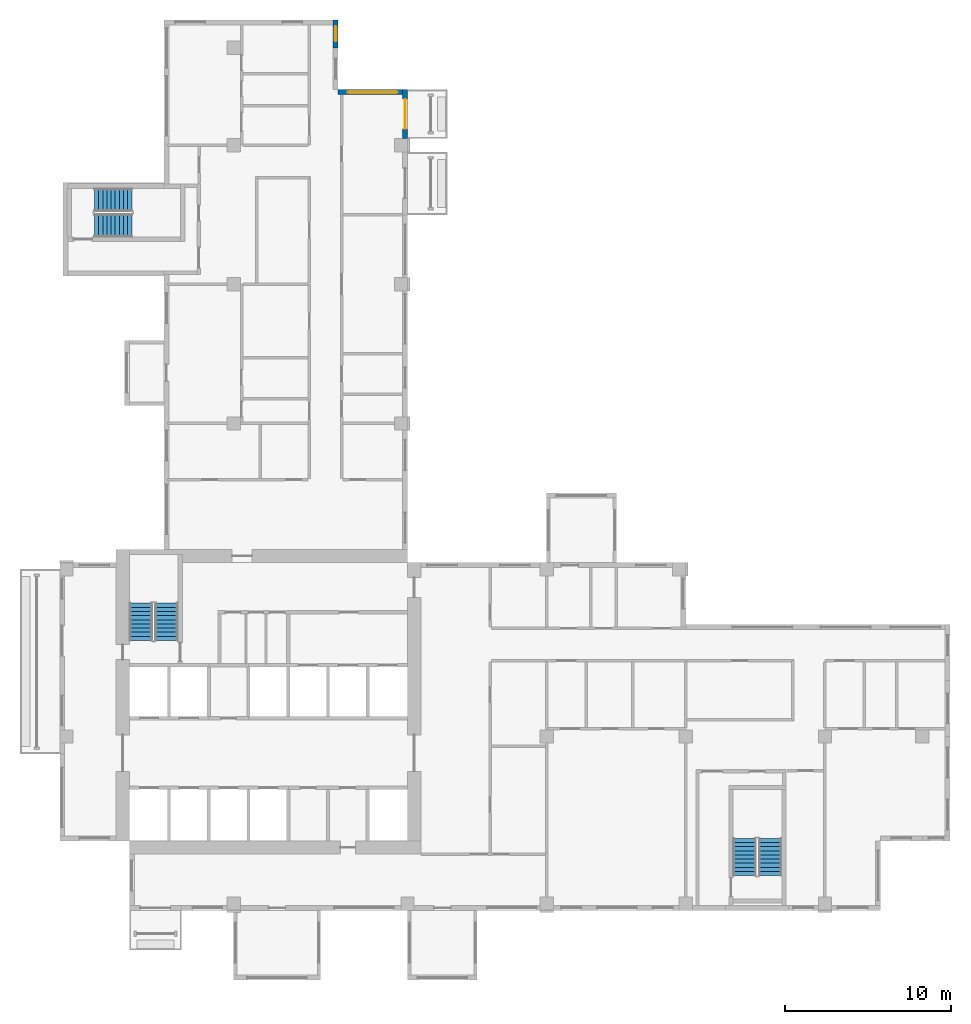
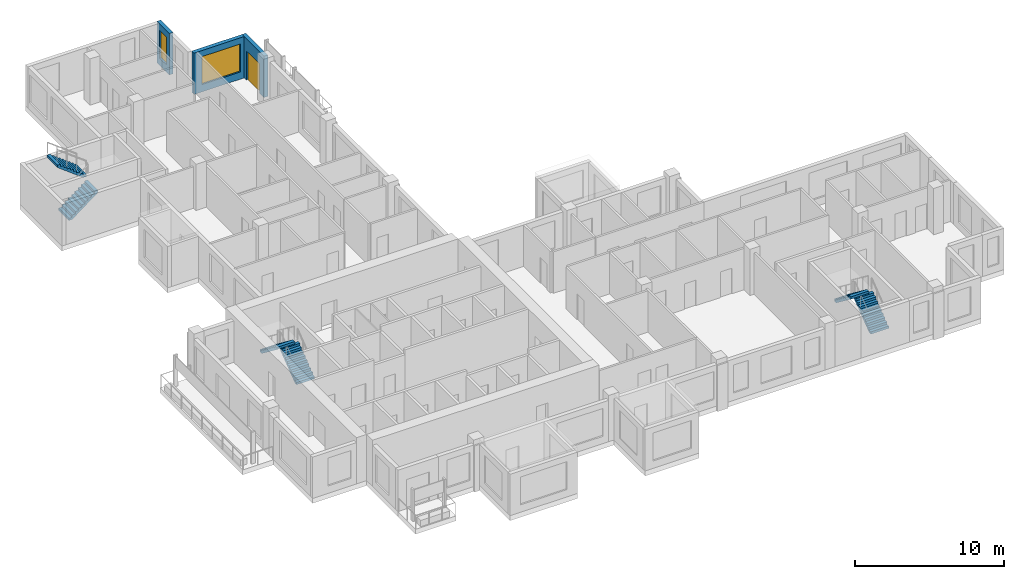
# One storey, part 8 of 12: 6 stair flights, 3 walls, 2 windows, 1 door, 3 openings, 3 elements without a shape of their own.
"""IFC4 building model written with IfcOpenShell, lengths in metres."""

from ifc_helpers import new_model, si_unit, direction, frame, frame_2d, origin, place, context, subcontext, project, spatial, polyline, rectangle, outline, extrude, source, transform, mapped, material, layer, layer_set, type_object, element, fill, aggregate, save


model = new_model("IFC4")

# Units and contexts
model_context = context("Model", 3, precision=1e-05, world=origin(), true_north=direction((0.0, 1.0)))
body_context = subcontext(model_context, "Body", "Model", "MODEL_VIEW")
ifc_project = project(units=[si_unit("LENGTHUNIT", "METRE"), si_unit("AREAUNIT", "SQUARE_METRE"), si_unit("VOLUMEUNIT", "CUBIC_METRE"), si_unit("PLANEANGLEUNIT", "RADIAN"), si_unit("MASSUNIT", "GRAM", prefix="KILO")], contexts=[model_context])

# Site, building, storey
site_placement = place(None, origin())
site = spatial("IfcSite", under=ifc_project, at=site_placement, CompositionType="ELEMENT")
building_placement = place(site_placement, origin())
building = spatial("IfcBuilding", under=site, at=building_placement, Name="Aurelian Terraces", CompositionType="ELEMENT")
storey_placement = place(building_placement, frame((0.0, 0.0, 246.2)))
storey = spatial("IfcBuildingStorey", under=building, at=storey_placement, Name="L56", CompositionType="ELEMENT", Elevation=246.2)

# Wall, opening, window
ifc_material_1 = material(Name="Terracotta rainscreen cladding", Category="masonry")
ifc_layer = layer(ifc_material_1, 0.3)
ifc_layer_set = layer_set([ifc_layer], Name="EW-300")
wall_type = type_object("IfcWallType", Name="EW-300", PredefinedType="STANDARD", material=ifc_layer_set)
shared_shape_1 = source(origin(), body_context, "Body", "SweptSolid", [
    extrude(rectangle(XDim=4.2, YDim=0.3, at=frame_2d((2.1, 0.0))), origin(), (0.0, 0.0, 1.0), 3.4),
])
wall_1_placement = place(storey_placement, frame((21.0, 49.41, 0.0), z_axis=(0.0, 0.0, 1.0), x_axis=(-1.0, 0.0, 0.0)))
wall_1 = element("IfcWall", 1, at=wall_1_placement, inside=storey, type_object=wall_type, Name="External wall L56 F09.23", PredefinedType="STANDARD", context=body_context, shape_type="MappedRepresentation", body=[
    mapped(shared_shape_1, transform((0.0, 0.0, 0.0), scale=1.0)),
])
shared_shape_2 = source(origin(), body_context, "Body", "SweptSolid", [
    extrude(rectangle(XDim=3.0, YDim=2.3, at=frame_2d((1.5, 1.15))), frame((0.0, 0.16, 0.0), z_axis=(0.0, -1.0, 0.0), x_axis=(1.0, 0.0, 0.0)), (0.0, 0.0, 1.0), 0.32),
])
opening_1_placement = place(wall_1_placement, frame((0.6, 0.0, 0.6)))
opening_1 = element("IfcOpeningElement", 2, at=opening_1_placement, cuts=wall_1, Name="Opening W3023", PredefinedType="OPENING", context=body_context, shape_type="MappedRepresentation", body=[
    mapped(shared_shape_2, transform((0.0, 0.0, 0.0), scale=1.0)),
])
ifc_material_2 = material(Name="Clear glazing", Category="glass")
window_type_1 = type_object("IfcWindowType", Name="W-3000x2300", PartitioningType="SINGLE_PANEL", PredefinedType="WINDOW", material=ifc_material_2)
shared_shape_3 = source(origin(), body_context, "Body", "SweptSolid", [
    extrude(rectangle(XDim=3.0, YDim=2.3, at=frame_2d((1.5, 1.15))), frame((0.0, 0.03, 0.0), z_axis=(0.0, -1.0, 0.0), x_axis=(1.0, 0.0, 0.0)), (0.0, 0.0, 1.0), 0.06),
])
window_1_placement = place(opening_1_placement, origin())
window_1 = element("IfcWindow", 3, at=window_1_placement, inside=storey, type_object=window_type_1, Name="Window L56 L56-F09-23-0", OverallHeight=2.3, OverallWidth=3.0, PartitioningType="SINGLE_PANEL", PredefinedType="WINDOW", context=body_context, shape_type="MappedRepresentation", body=[
    mapped(shared_shape_3, transform((0.0, 0.0, 0.0), scale=1.0)),
])
fill(opening_1, window_1)

shared_shape_4 = source(origin(), body_context, "Body", "SweptSolid", [
    extrude(rectangle(XDim=1.68, YDim=0.3, at=frame_2d((0.84, 0.0))), origin(), (0.0, 0.0, 1.0), 3.4),
])
wall_2_placement = place(storey_placement, frame((16.65, 52.08, 0.0), z_axis=(0.0, 0.0, 1.0), x_axis=(0.0, 1.0, 0.0)))
wall_2 = element("IfcWall", 4, at=wall_2_placement, inside=storey, type_object=wall_type, Name="External wall L56 F10.25", PredefinedType="STANDARD", context=body_context, shape_type="MappedRepresentation", body=[
    mapped(shared_shape_4, transform((0.0, 0.0, 0.0), scale=1.0)),
])
shared_shape_5 = source(origin(), body_context, "Body", "SweptSolid", [
    extrude(rectangle(XDim=0.9, YDim=2.3, at=frame_2d((0.45, 1.15))), frame((0.0, 0.16, 0.0), z_axis=(0.0, -1.0, 0.0), x_axis=(1.0, 0.0, 0.0)), (0.0, 0.0, 1.0), 0.32),
])
opening_2_placement = place(wall_2_placement, frame((0.39, 0.0, 0.6)))
opening_2 = element("IfcOpeningElement", 5, at=opening_2_placement, cuts=wall_2, Name="Opening W0923", PredefinedType="OPENING", context=body_context, shape_type="MappedRepresentation", body=[
    mapped(shared_shape_5, transform((0.0, 0.0, 0.0), scale=1.0)),
])
window_type_2 = type_object("IfcWindowType", Name="W-900x2300", PartitioningType="SINGLE_PANEL", PredefinedType="WINDOW", material=ifc_material_2)
shared_shape_6 = source(origin(), body_context, "Body", "SweptSolid", [
    extrude(rectangle(XDim=0.9, YDim=2.3, at=frame_2d((0.45, 1.15))), frame((0.0, 0.03, 0.0), z_axis=(0.0, -1.0, 0.0), x_axis=(1.0, 0.0, 0.0)), (0.0, 0.0, 1.0), 0.06),
])
window_2_placement = place(opening_2_placement, origin())
window_2 = element("IfcWindow", 6, at=window_2_placement, inside=storey, type_object=window_type_2, Name="Window L56 L56-F10-25-P0", OverallHeight=2.3, OverallWidth=0.9, PartitioningType="SINGLE_PANEL", PredefinedType="WINDOW", context=body_context, shape_type="MappedRepresentation", body=[
    mapped(shared_shape_6, transform((0.0, 0.0, 0.0), scale=1.0)),
])
fill(opening_2, window_2)

# Wall, opening, door
shared_shape_7 = source(origin(), body_context, "Body", "SweptSolid", [
    extrude(rectangle(XDim=2.96, YDim=0.3, at=frame_2d((1.48, 0.0))), origin(), (0.0, 0.0, 1.0), 3.4),
])
wall_3_placement = place(storey_placement, frame((20.85, 46.6, 0.0), z_axis=(0.0, 0.0, 1.0), x_axis=(0.0, 1.0, 0.0)))
wall_3 = element("IfcWall", 7, at=wall_3_placement, inside=storey, type_object=wall_type, Name="External wall L56 F08.22", PredefinedType="STANDARD", context=body_context, shape_type="MappedRepresentation", body=[
    mapped(shared_shape_7, transform((0.0, 0.0, 0.0), scale=1.0)),
])
shared_shape_8 = source(origin(), body_context, "Body", "SweptSolid", [
    extrude(rectangle(XDim=1.8, YDim=2.4, at=frame_2d((0.9, 1.2))), frame((0.0, 0.16, 0.0), z_axis=(0.0, -1.0, 0.0), x_axis=(1.0, 0.0, 0.0)), (0.0, 0.0, 1.0), 0.32),
])
opening_3_placement = place(wall_3_placement, frame((0.58, 0.0, 0.0)))
opening_3 = element("IfcOpeningElement", 8, at=opening_3_placement, cuts=wall_3, Name="Opening 85603", PredefinedType="OPENING", context=body_context, shape_type="MappedRepresentation", body=[
    mapped(shared_shape_8, transform((0.0, 0.0, 0.0), scale=1.0)),
])
door_type = type_object("IfcDoorType", Name="BD-1800x2400", OperationType="SLIDING_TO_LEFT", PredefinedType="DOOR", material=ifc_material_2)
shared_shape_9 = source(origin(), body_context, "Body", "SweptSolid", [
    extrude(rectangle(XDim=1.8, YDim=2.4, at=frame_2d((0.9, 1.2))), frame((0.0, 0.025, 0.0), z_axis=(0.0, -1.0, 0.0), x_axis=(1.0, 0.0, 0.0)), (0.0, 0.0, 1.0), 0.05),
])
door_placement = place(opening_3_placement, origin())
door = element("IfcDoor", 9, at=door_placement, inside=storey, type_object=door_type, Name="Balcony door L56 F08.22", OperationType="SLIDING_TO_LEFT", OverallHeight=2.4, OverallWidth=1.8, PredefinedType="DOOR", context=body_context, shape_type="MappedRepresentation", body=[
    mapped(shared_shape_9, transform((0.0, 0.0, 0.0), scale=1.0)),
])
fill(opening_3, door)

# Stair, stair flights
ifc_material_3 = material(Name="Concrete fc' 40 MPa", Category="concrete")
stair_type = type_object("IfcStairType", Name="Stair 1400", PredefinedType="HALF_TURN_STAIR", material=ifc_material_3)
stair_1_placement = place(storey_placement, origin())
stair_1 = element("IfcStair", 10, at=stair_1_placement, inside=storey, type_object=stair_type, Name="L56 S1", PredefinedType="HALF_TURN_STAIR")
stair_flight_type = type_object("IfcStairFlightType", Name="Stair flight 1400", PredefinedType="STRAIGHT", material=ifc_material_3)
shared_shape_10 = source(origin(), body_context, "Body", "SweptSolid", [
    extrude(outline(polyline([(0.0, 0.0), (0.0, 0.19), (0.25, 0.19), (0.25, 0.38), (0.5, 0.38), (0.5, 0.57), (0.75, 0.57), (0.75, 0.76), (1.0, 0.76), (1.0, 0.95), (1.25, 0.95), (1.25, 1.14), (1.5, 1.14), (1.5, 1.33), (1.75, 1.33), (1.75, 1.52), (2.0, 1.52), (2.0, 1.71), (2.25, 1.71), (2.25, 1.9), (2.25, 1.5216), (0.2479, 0.0), (0.0, 0.0)])), frame((0.0, 0.7, 0.0), z_axis=(0.0, -1.0, 0.0), x_axis=(1.0, 0.0, 0.0)), (0.0, 0.0, 1.0), 1.4),
])
stair_flight_1_placement = place(storey_placement, frame((6.45, 16.3, 2e-08), z_axis=(0.0, 0.0, 1.0), x_axis=(0.0, 1.0, 0.0)))
stair_flight_1 = element("IfcStairFlight", 11, at=stair_flight_1_placement, type_object=stair_flight_type, Name="S1 flight 1", NumberOfRisers=10, NumberOfTreads=9, PredefinedType="STRAIGHT", RiserHeight=0.19, TreadLength=0.25, context=body_context, shape_type="MappedRepresentation", body=[
    mapped(shared_shape_10, transform((0.0, 0.0, 0.0), scale=1.0)),
])
stair_flight_2_placement = place(storey_placement, frame((4.9, 18.55, 1.9000000200000058), z_axis=(0.0, 0.0, 1.0), x_axis=(0.0, -1.0, 0.0)))
stair_flight_2 = element("IfcStairFlight", 12, at=stair_flight_2_placement, type_object=stair_flight_type, Name="S1 flight 2", NumberOfRisers=10, NumberOfTreads=9, PredefinedType="STRAIGHT", RiserHeight=0.19, TreadLength=0.25, context=body_context, shape_type="MappedRepresentation", body=[
    mapped(shared_shape_10, transform((0.0, 0.0, 0.0), scale=1.0)),
])
aggregate(stair_1, [stair_flight_1, stair_flight_2])

stair_2_placement = place(storey_placement, origin())
stair_2 = element("IfcStair", 13, at=stair_2_placement, inside=storey, type_object=stair_type, Name="L56 S2", PredefinedType="HALF_TURN_STAIR")
stair_flight_3_placement = place(storey_placement, frame((42.9, 2.1, 2e-08), z_axis=(0.0, 0.0, 1.0), x_axis=(0.0, 1.0, 0.0)))
stair_flight_3 = element("IfcStairFlight", 14, at=stair_flight_3_placement, type_object=stair_flight_type, Name="S2 flight 1", NumberOfRisers=10, NumberOfTreads=9, PredefinedType="STRAIGHT", RiserHeight=0.19, TreadLength=0.25, context=body_context, shape_type="MappedRepresentation", body=[
    mapped(shared_shape_10, transform((0.0, 0.0, 0.0), scale=1.0)),
])
stair_flight_4_placement = place(storey_placement, frame((41.35, 4.35, 1.9000000200000058), z_axis=(0.0, 0.0, 1.0), x_axis=(0.0, -1.0, 0.0)))
stair_flight_4 = element("IfcStairFlight", 15, at=stair_flight_4_placement, type_object=stair_flight_type, Name="S2 flight 2", NumberOfRisers=10, NumberOfTreads=9, PredefinedType="STRAIGHT", RiserHeight=0.19, TreadLength=0.25, context=body_context, shape_type="MappedRepresentation", body=[
    mapped(shared_shape_10, transform((0.0, 0.0, 0.0), scale=1.0)),
])
aggregate(stair_2, [stair_flight_3, stair_flight_4])

stair_3_placement = place(storey_placement, origin())
stair_3 = element("IfcStair", 16, at=stair_3_placement, inside=storey, type_object=stair_type, Name="L56 S3", PredefinedType="HALF_TURN_STAIR")
stair_flight_5_placement = place(storey_placement, frame((2.1, 41.35, 2e-08), z_axis=(0.0, 0.0, 1.0), x_axis=(1.0, 0.0, 0.0)))
stair_flight_5 = element("IfcStairFlight", 17, at=stair_flight_5_placement, type_object=stair_flight_type, Name="S3 flight 1", NumberOfRisers=10, NumberOfTreads=9, PredefinedType="STRAIGHT", RiserHeight=0.19, TreadLength=0.25, context=body_context, shape_type="MappedRepresentation", body=[
    mapped(shared_shape_10, transform((0.0, 0.0, 0.0), scale=1.0)),
])
stair_flight_6_placement = place(storey_placement, frame((4.35, 42.9, 1.9000000200000058), z_axis=(0.0, 0.0, 1.0), x_axis=(-1.0, 0.0, 0.0)))
stair_flight_6 = element("IfcStairFlight", 18, at=stair_flight_6_placement, type_object=stair_flight_type, Name="S3 flight 2", NumberOfRisers=10, NumberOfTreads=9, PredefinedType="STRAIGHT", RiserHeight=0.19, TreadLength=0.25, context=body_context, shape_type="MappedRepresentation", body=[
    mapped(shared_shape_10, transform((0.0, 0.0, 0.0), scale=1.0)),
])
aggregate(stair_3, [stair_flight_5, stair_flight_6])

save(model, "model.ifc")
